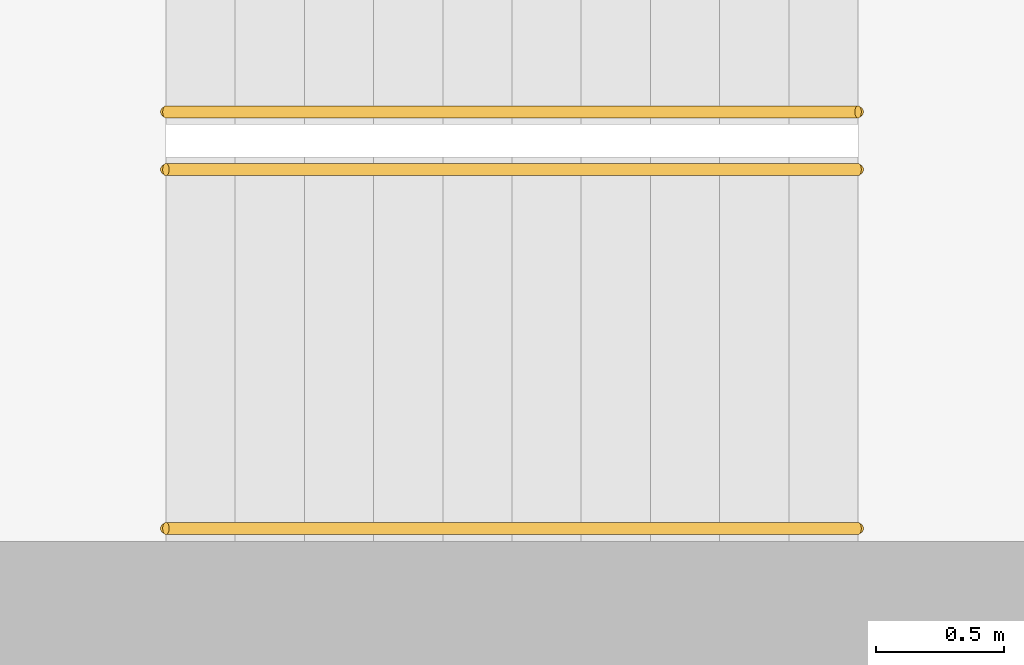
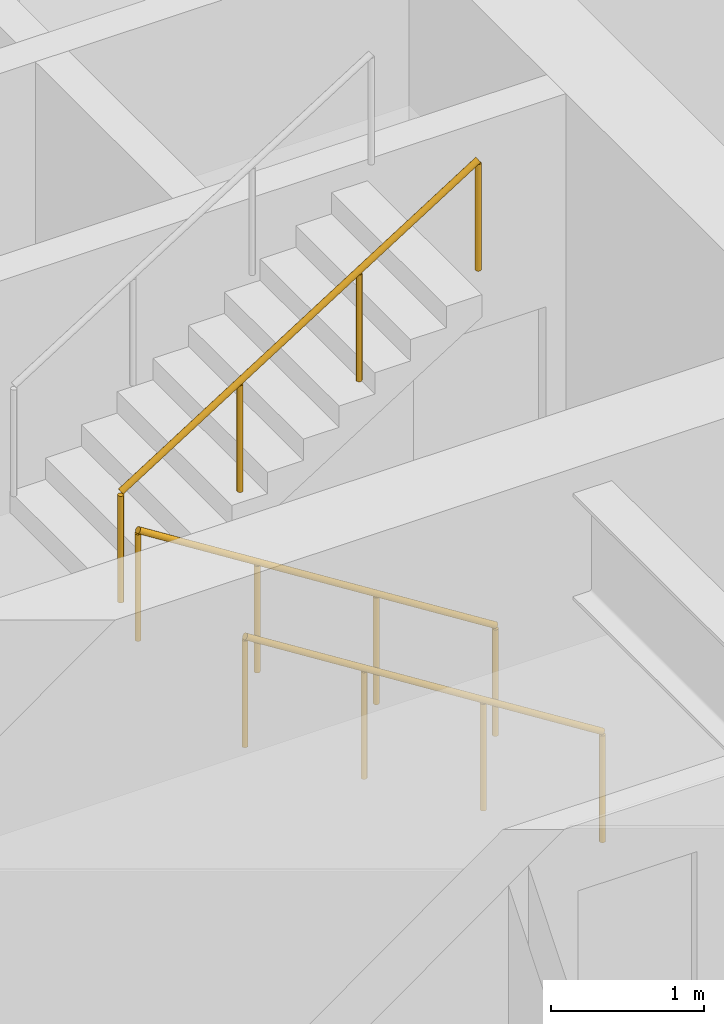
# One storey, part 14 of 17: 3 railings.
"""IFC4 building model written with IfcOpenShell, lengths in metres."""

from ifc_helpers import new_model, si_unit, direction, frame, origin, origin_2d, place, context, subcontext, project, spatial, circle, extrude, material, type_object, element, save


model = new_model("IFC4")

# Units and contexts
model_context = context("Model", 3, precision=1e-05, world=origin(), true_north=direction((0.0, 1.0)))
body_context = subcontext(model_context, "Body", "Model", "MODEL_VIEW")
ifc_project = project(units=[si_unit("LENGTHUNIT", "METRE"), si_unit("AREAUNIT", "SQUARE_METRE"), si_unit("VOLUMEUNIT", "CUBIC_METRE"), si_unit("PLANEANGLEUNIT", "RADIAN"), si_unit("MASSUNIT", "GRAM", prefix="KILO")], contexts=[model_context])

# Site, building, storey
site_placement = place(None, origin())
site = spatial("IfcSite", under=ifc_project, at=site_placement, CompositionType="ELEMENT")
building_placement = place(site_placement, origin())
building = spatial("IfcBuilding", under=site, at=building_placement, Name="Msasa Ring Tower", CompositionType="ELEMENT")
storey_placement = place(building_placement, frame((0.0, 0.0, 238.300048828125)))
storey = spatial("IfcBuildingStorey", under=building, at=storey_placement, Name="L62", CompositionType="ELEMENT", Elevation=238.300048828125)

# Railings
ifc_material = material(Name="Stainless steel", Category="steel")
railing_type = type_object("IfcRailingType", Name="HR1 HANDRAIL 900", PredefinedType="HANDRAIL", material=ifc_material)
for number, where, name in (
    (1, (-10.800048828125, -6.39990234375, 0.17041015625), "Handrail stair SWA L62 1"),
    (2, (-10.800048828125, -5.0, 0.17041015625), "Handrail stair SWA L62 2"),
):
    element("IfcRailing", number, at=place(storey_placement, frame(where)), inside=storey, type_object=railing_type, Name=name, PredefinedType="HANDRAIL", context=body_context, shape_type="SweptSolid", body=[
        extrude(circle(Radius=0.02392578125, at=origin_2d()), frame((0.0, 0.0, 0.8759765625), z_axis=(-0.845579735284, 0.0, 0.533849146555), x_axis=(0.0, -1.0, 0.0)), (0.0, 0.0, 1.0), 3.193115234375),
        extrude(circle(Radius=0.02099609375, at=origin_2d()), origin(), (0.0, 0.0, 1.0), 0.851806640625),
        extrude(circle(Radius=0.02099609375, at=origin_2d()), frame((-0.89990234375, 0.0, 0.568115234375)), (0.0, 0.0, 1.0), 0.851806640625),
        extrude(circle(Radius=0.02099609375, at=origin_2d()), frame((-1.800048828125, 0.0, 1.136474609375)), (0.0, 0.0, 1.0), 0.851806640625),
        extrude(circle(Radius=0.02099609375, at=origin_2d()), frame((-2.699951171875, 0.0, 1.70458984375)), (0.0, 0.0, 1.0), 0.851806640625),
    ])
railing_placement = place(storey_placement, frame((-13.5, -4.77490234375, 2.04541015625)))
element("IfcRailing", 3, at=railing_placement, inside=storey, type_object=railing_type, Name="Handrail stair SWA L62 3", PredefinedType="HANDRAIL", context=body_context, shape_type="SweptSolid", body=[
    extrude(circle(Radius=0.02392578125, at=origin_2d()), frame((0.0, 0.0, 0.8759765625), z_axis=(0.845579735284, 0.0, 0.533849146555), x_axis=(0.0, 1.0, 0.0)), (0.0, 0.0, 1.0), 3.193115234375),
    extrude(circle(Radius=0.02099609375, at=origin_2d()), origin(), (0.0, 0.0, 1.0), 0.851806640625),
    extrude(circle(Radius=0.02099609375, at=origin_2d()), frame((0.89990234375, 0.0, 0.568115234375)), (0.0, 0.0, 1.0), 0.851806640625),
    extrude(circle(Radius=0.02099609375, at=origin_2d()), frame((1.800048828125, 0.0, 1.136474609375)), (0.0, 0.0, 1.0), 0.851806640625),
    extrude(circle(Radius=0.02099609375, at=origin_2d()), frame((2.699951171875, 0.0, 1.70458984375)), (0.0, 0.0, 1.0), 0.851806640625),
])

save(model, "model.ifc")
